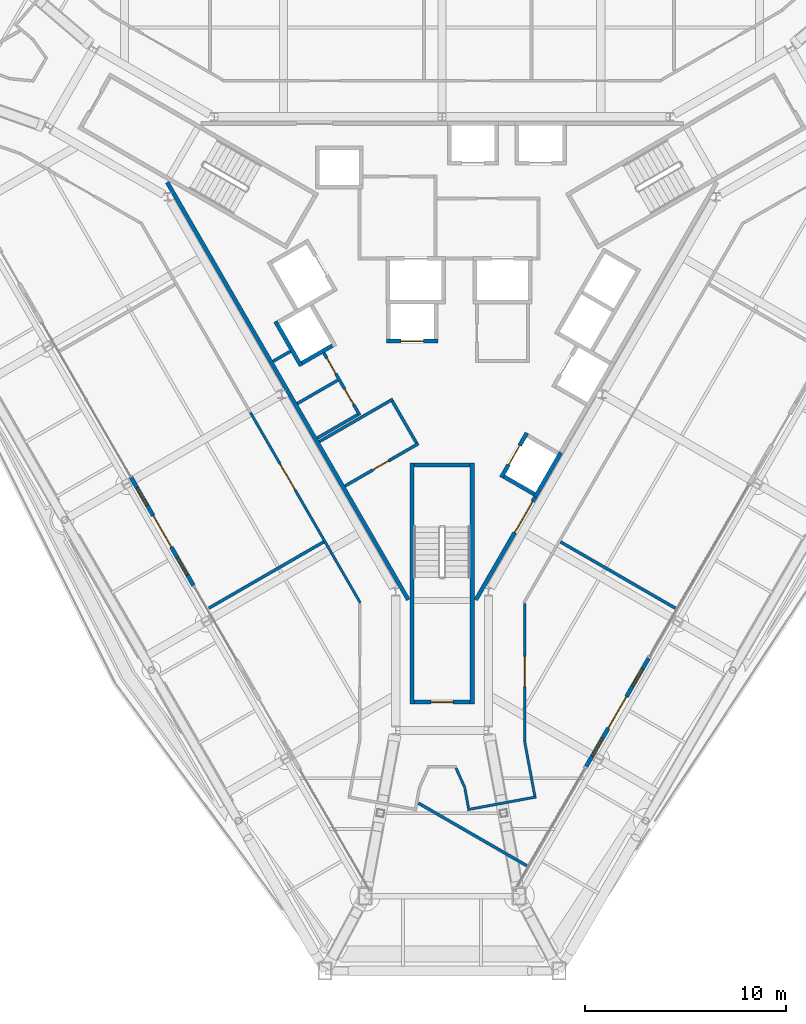
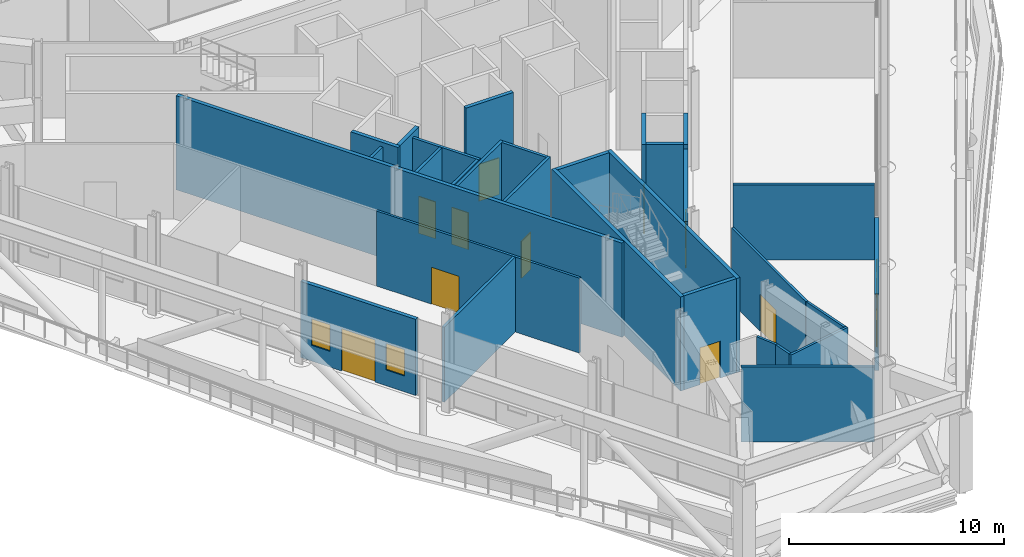
# One storey, part 16 of 26: 30 walls, 11 doors, 4 windows, 15 openings.
"""IFC4 building model written with IfcOpenShell, lengths in metres."""

from ifc_helpers import new_model, si_unit, direction, frame, frame_2d, origin, place, context, subcontext, project, spatial, rectangle, extrude, material, layer, layer_set, type_object, element, fill, save


model = new_model("IFC4")

# Units and contexts
model_context = context("Model", 3, precision=1e-05, world=origin(), true_north=direction((0.0, 1.0)))
body_context = subcontext(model_context, "Body", "Model", "MODEL_VIEW")
ifc_project = project(units=[si_unit("LENGTHUNIT", "METRE"), si_unit("AREAUNIT", "SQUARE_METRE"), si_unit("VOLUMEUNIT", "CUBIC_METRE"), si_unit("PLANEANGLEUNIT", "RADIAN"), si_unit("MASSUNIT", "GRAM", prefix="KILO")], contexts=[model_context])

# Site, building, storey
site_placement = place(None, origin())
site = spatial("IfcSite", under=ifc_project, at=site_placement, CompositionType="ELEMENT")
building_placement = place(site_placement, origin())
building = spatial("IfcBuilding", under=site, at=building_placement, Name="Verrane Prism Tower", CompositionType="ELEMENT")
storey_placement = place(building_placement, frame((0.0, 0.0, 87.199951171875)))
storey = spatial("IfcBuildingStorey", under=building, at=storey_placement, Name="L20", CompositionType="ELEMENT", Elevation=87.199951171875)

# Wall
ifc_material_1 = material(Name="Gypsum board partition", Category="other")
ifc_layer_1 = layer(ifc_material_1, 0.199951171875)
ifc_layer_set_1 = layer_set([ifc_layer_1], Name="CW-200 core boundary wall 2 h")
wall_type_1 = type_object("IfcWallType", Name="CW-200 core boundary wall 2 h", PredefinedType="PARTITIONING", material=ifc_layer_set_1)
wall_1_placement = place(storey_placement, frame((-13.66357421875, 5.946044921875, 0.0), z_axis=(0.0, 0.0, 1.0), x_axis=(0.499994327219, -0.866028678941, 0.0)))
element("IfcWall", 1, at=wall_1_placement, inside=storey, type_object=wall_type_1, Name="Core boundary wall CW3-001", PredefinedType="PARTITIONING", context=body_context, shape_type="SweptSolid", body=[
    extrude(rectangle(XDim=23.967529296875, YDim=0.199951171875, at=frame_2d((11.98388671875, 0.0))), origin(), (0.0, 0.0, 1.0), 5.35009765625),
])

# Wall, opening, door
wall_2_placement = place(storey_placement, frame((1.677490234375, -14.814697265625, 0.0), z_axis=(0.0, 0.0, 1.0), x_axis=(0.49999445743, 0.866028603765, 0.0)))
wall_2 = element("IfcWall", 2, at=wall_2_placement, inside=storey, type_object=wall_type_1, Name="Core boundary wall CW3-003", PredefinedType="PARTITIONING", context=body_context, shape_type="SweptSolid", body=[
    extrude(rectangle(XDim=5.90478515625, YDim=0.199951171875, at=frame_2d((2.952392578125, 0.0))), origin(), (0.0, 0.0, 1.0), 5.35009765625),
])
opening_1_placement = place(wall_2_placement, frame((3.85498046875, 0.0, 0.0)))
opening_1 = element("IfcOpeningElement", 3, at=opening_1_placement, cuts=wall_2, Name="Opening D20517", PredefinedType="OPENING", context=body_context, shape_type="SweptSolid", body=[
    extrude(rectangle(XDim=1.800048828125, YDim=2.10009765625, at=frame_2d((0.89990234375, 1.050048828125))), frame((0.0, 0.10986328125, 0.0), z_axis=(0.0, -1.0, 0.0), x_axis=(1.0, 0.0, 0.0)), (0.0, 0.0, 1.0), 0.219970703125),
])
ifc_material_2 = material(Name="Timber veneered door leaf", Category="wood")
door_type_1 = type_object("IfcDoorType", Name="DR-1800x2100 FD60 double leaf lift lobby", OperationType="NOTDEFINED", PredefinedType="DOOR", material=ifc_material_2)
door_1_placement = place(opening_1_placement, origin())
door_1 = element("IfcDoor", 4, at=door_1_placement, inside=storey, type_object=door_type_1, Name="Lift lobby door D20517", OperationType="DOUBLE_DOOR_SINGLE_SWING", OverallHeight=2.10009765625, OverallWidth=1.800048828125, PredefinedType="DOOR", context=body_context, shape_type="SweptSolid", body=[
    extrude(rectangle(XDim=1.800048828125, YDim=2.10009765625, at=frame_2d((0.89990234375, 1.050048828125))), frame((0.0, 0.02490234375, 0.0), z_axis=(0.0, -1.0, 0.0), x_axis=(1.0, 0.0, 0.0)), (0.0, 0.0, 1.0), 0.050048828125),
])
fill(opening_1, door_1)

ifc_material_3 = material(Name="Concrete C40/50", Category="concrete")
ifc_layer_2 = layer(ifc_material_3, 0.199951171875)
ifc_layer_set_2 = layer_set([ifc_layer_2], Name="CW-200 stair core wall concrete C40/50 3 h")
wall_type_2 = type_object("IfcWallType", Name="CW-200 stair core wall concrete C40/50 3 h", PredefinedType="PARTITIONING", material=ifc_layer_set_2)
wall_3_placement = place(storey_placement, frame((-1.39990234375, -19.89990234375, 0.0), z_axis=(0.0, 0.0, 1.0), x_axis=(1.0, 0.0, 0.0)))
wall_3 = element("IfcWall", 5, at=wall_3_placement, inside=storey, type_object=wall_type_2, Name="Stair 3 enclosure wall", PredefinedType="PARTITIONING", context=body_context, shape_type="SweptSolid", body=[
    extrude(rectangle(XDim=2.7998046875, YDim=0.199951171875, at=frame_2d((1.39990234375, 0.0))), origin(), (0.0, 0.0, 1.0), 5.35009765625),
])
opening_2_placement = place(wall_3_placement, frame((0.85009765625, 0.0, 0.0)))
opening_2 = element("IfcOpeningElement", 6, at=opening_2_placement, cuts=wall_3, Name="Opening D20502", PredefinedType="OPENING", context=body_context, shape_type="SweptSolid", body=[
    extrude(rectangle(XDim=1.10009765625, YDim=2.10009765625, at=frame_2d((0.550048828125, 1.050048828125))), frame((0.0, 0.10986328125, 0.0), z_axis=(0.0, -1.0, 0.0), x_axis=(1.0, 0.0, 0.0)), (0.0, 0.0, 1.0), 0.219970703125),
])
ifc_material_4 = material(Name="Timber veneered door leaf", Category="wood")
door_type_2 = type_object("IfcDoorType", Name="DR-1100x2100 FD90 single leaf stair", OperationType="NOTDEFINED", PredefinedType="DOOR", material=ifc_material_4)
door_2_placement = place(opening_2_placement, origin())
door_2 = element("IfcDoor", 7, at=door_2_placement, inside=storey, type_object=door_type_2, Name="Stair 3 door", OperationType="SINGLE_SWING_LEFT", OverallHeight=2.10009765625, OverallWidth=1.10009765625, PredefinedType="DOOR", context=body_context, shape_type="SweptSolid", body=[
    extrude(rectangle(XDim=1.10009765625, YDim=2.10009765625, at=frame_2d((0.550048828125, 1.050048828125))), frame((0.0, 0.02490234375, 0.0), z_axis=(0.0, -1.0, 0.0), x_axis=(1.0, 0.0, 0.0)), (0.0, 0.0, 1.0), 0.050048828125),
])
fill(opening_2, door_2)

# Walls
for number, where, z_axis, x_axis, name in (
    (8, (1.5, -8.0, 0.0), (0.0, 0.0, 1.0), (0.0, -1.0, 0.0), "Stair 3 enclosure wall"),
    (9, (-1.5, -8.0, 0.0), (0.0, 0.0, 1.0), (0.0, -1.0, 0.0), "Stair 3 enclosure wall"),
):
    element("IfcWall", number, at=place(storey_placement, frame(where, z_axis=z_axis, x_axis=x_axis)), inside=storey, type_object=wall_type_2, Name=name, PredefinedType="PARTITIONING", context=body_context, shape_type="SweptSolid", body=[
        extrude(rectangle(XDim=12.0, YDim=0.199951171875, at=frame_2d((6.0, 0.0))), origin(), (0.0, 0.0, 1.0), 5.35009765625),
    ])
wall_4_placement = place(storey_placement, frame((-1.39990234375, -8.10009765625, 0.0), z_axis=(0.0, 0.0, 1.0), x_axis=(1.0, 0.0, 0.0)))
element("IfcWall", 10, at=wall_4_placement, inside=storey, type_object=wall_type_2, Name="Stair 3 enclosure wall", PredefinedType="PARTITIONING", context=body_context, shape_type="SweptSolid", body=[
    extrude(rectangle(XDim=2.7998046875, YDim=0.199951171875, at=frame_2d((1.39990234375, 0.0))), origin(), (0.0, 0.0, 1.0), 5.35009765625),
])

# Wall, opening, door
ifc_material_5 = material(Name="Gypsum board shaft wall assembly", Category="other")
ifc_layer_3 = layer(ifc_material_5, 0.199951171875)
ifc_layer_set_3 = layer_set([ifc_layer_3], Name="HW-200 lift shaft wall 2 h")
wall_type_3 = type_object("IfcWallType", Name="HW-200 lift shaft wall 2 h", PredefinedType="PARTITIONING", material=ifc_layer_set_3)
wall_5_placement = place(storey_placement, frame((-2.7548828125, -1.949951171875, 0.0), z_axis=(0.0, 0.0, 1.0), x_axis=(1.0, 0.0, 0.0)))
wall_5 = element("IfcWall", 11, at=wall_5_placement, inside=storey, type_object=wall_type_3, Name="Lift shaft wall", PredefinedType="PARTITIONING", context=body_context, shape_type="SweptSolid", body=[
    extrude(rectangle(XDim=2.5498046875, YDim=0.199951171875, at=frame_2d((1.27490234375, 0.0))), origin(), (0.0, 0.0, 1.0), 5.60009765625),
])
opening_3_placement = place(wall_5_placement, frame((0.72509765625, 0.0, 0.0)))
opening_3 = element("IfcOpeningElement", 12, at=opening_3_placement, cuts=wall_5, Name="Opening D20504", PredefinedType="OPENING", context=body_context, shape_type="SweptSolid", body=[
    extrude(rectangle(XDim=1.10009765625, YDim=2.10009765625, at=frame_2d((0.550048828125, 1.050048828125))), frame((0.0, 0.10986328125, 0.0), z_axis=(0.0, -1.0, 0.0), x_axis=(1.0, 0.0, 0.0)), (0.0, 0.0, 1.0), 0.219970703125),
])
ifc_material_6 = material(Name="Stainless steel sliding landing door", Category="steel")
door_type_3 = type_object("IfcDoorType", Name="LD-1100x2100 lift landing door FD90 sliding", OperationType="NOTDEFINED", PredefinedType="DOOR", material=ifc_material_6)
door_3_placement = place(opening_3_placement, origin())
door_3 = element("IfcDoor", 13, at=door_3_placement, inside=storey, type_object=door_type_3, Name="Bank A lift 2 landing door", OperationType="SLIDING_TO_RIGHT", OverallHeight=2.10009765625, OverallWidth=1.10009765625, PredefinedType="DOOR", context=body_context, shape_type="SweptSolid", body=[
    extrude(rectangle(XDim=1.10009765625, YDim=2.10009765625, at=frame_2d((0.550048828125, 1.050048828125))), frame((0.0, 0.02490234375, 0.0), z_axis=(0.0, -1.0, 0.0), x_axis=(1.0, 0.0, 0.0)), (0.0, 0.0, 1.0), 0.050048828125),
])
fill(opening_3, door_3)

# Walls
wall_6_placement = place(storey_placement, frame((-6.9697265625, -3.048095703125, 0.0), z_axis=(0.0, 0.0, 1.0), x_axis=(0.866036909293, 0.499980071345, 0.0)))
element("IfcWall", 14, at=wall_6_placement, inside=storey, type_object=wall_type_3, Name="Lift shaft wall", PredefinedType="PARTITIONING", context=body_context, shape_type="SweptSolid", body=[
    extrude(rectangle(XDim=1.75, YDim=0.199951171875, at=frame_2d((0.875, 0.0))), origin(), (0.0, 0.0, 1.0), 5.60009765625),
])
wall_7_placement = place(storey_placement, frame((4.63037109375, -9.69970703125, 0.0), z_axis=(0.0, 0.0, 1.0), x_axis=(0.500062241894, 0.865989465428, 0.0)))
element("IfcWall", 15, at=wall_7_placement, inside=storey, type_object=wall_type_3, Name="Lift shaft wall", PredefinedType="PARTITIONING", context=body_context, shape_type="SweptSolid", body=[
    extrude(rectangle(XDim=2.550048828125, YDim=0.199951171875, at=frame_2d((1.27490234375, 0.0))), origin(), (0.0, 0.0, 1.0), 5.60009765625),
])

# Wall, opening, door
wall_8_placement = place(storey_placement, frame((2.941650390625, -8.724853515625, 0.0), z_axis=(0.0, 0.0, 1.0), x_axis=(0.500020783669, 0.866013403995, 0.0)))
wall_8 = element("IfcWall", 16, at=wall_8_placement, inside=storey, type_object=wall_type_3, Name="Lift shaft wall", PredefinedType="PARTITIONING", context=body_context, shape_type="SweptSolid", body=[
    extrude(rectangle(XDim=2.55029296875, YDim=0.199951171875, at=frame_2d((1.275146484375, 0.0))), origin(), (0.0, 0.0, 1.0), 5.60009765625),
])
opening_4_placement = place(wall_8_placement, frame((0.72509765625, 0.0, 0.0)))
opening_4 = element("IfcOpeningElement", 17, at=opening_4_placement, cuts=wall_8, Name="Opening D20506", PredefinedType="OPENING", context=body_context, shape_type="SweptSolid", body=[
    extrude(rectangle(XDim=1.10009765625, YDim=2.10009765625, at=frame_2d((0.550048828125, 1.050048828125))), frame((0.0, 0.10986328125, 0.0), z_axis=(0.0, -1.0, 0.0), x_axis=(1.0, 0.0, 0.0)), (0.0, 0.0, 1.0), 0.219970703125),
])
door_4_placement = place(opening_4_placement, origin())
door_4 = element("IfcDoor", 18, at=door_4_placement, inside=storey, type_object=door_type_3, Name="Bank A lift 4 landing door", OperationType="SLIDING_TO_RIGHT", OverallHeight=2.10009765625, OverallWidth=1.10009765625, PredefinedType="DOOR", context=body_context, shape_type="SweptSolid", body=[
    extrude(rectangle(XDim=1.10009765625, YDim=2.10009765625, at=frame_2d((0.550048828125, 1.050048828125))), frame((0.0, 0.02490234375, 0.0), z_axis=(0.0, -1.0, 0.0), x_axis=(1.0, 0.0, 0.0)), (0.0, 0.0, 1.0), 0.050048828125),
])
fill(opening_4, door_4)

# Walls
wall_9_placement = place(storey_placement, frame((-7.00634765625, -3.184814453125, 0.0), z_axis=(0.0, 0.0, 1.0), x_axis=(-0.499990435942, 0.866030925526, 0.0)))
element("IfcWall", 19, at=wall_9_placement, inside=storey, type_object=wall_type_3, Name="Lift shaft wall", PredefinedType="PARTITIONING", context=body_context, shape_type="SweptSolid", body=[
    extrude(rectangle(XDim=2.5498046875, YDim=0.199951171875, at=frame_2d((1.27490234375, 0.0))), origin(), (0.0, 0.0, 1.0), 5.60009765625),
])
wall_10_placement = place(storey_placement, frame((4.593994140625, -9.563232421875, 0.0), z_axis=(0.0, 0.0, 1.0), x_axis=(-0.866036909293, 0.499980071345, 0.0)))
element("IfcWall", 20, at=wall_10_placement, inside=storey, type_object=wall_type_3, Name="Lift shaft wall", PredefinedType="PARTITIONING", context=body_context, shape_type="SweptSolid", body=[
    extrude(rectangle(XDim=1.75, YDim=0.199951171875, at=frame_2d((0.875, 0.0))), origin(), (0.0, 0.0, 1.0), 5.60009765625),
])

# Wall, opening, door
ifc_material_7 = material(Name="Gypsum board partition", Category="other")
ifc_layer_4 = layer(ifc_material_7, 0.125)
ifc_layer_set_4 = layer_set([ifc_layer_4], Name="PW-125 corridor wall 1 h")
wall_type_4 = type_object("IfcWallType", Name="PW-125 corridor wall 1 h", PredefinedType="PARTITIONING", material=ifc_layer_set_4)
wall_11_placement = place(storey_placement, frame((-4.06884765625, -14.9560546875, 0.0), z_axis=(0.0, 0.0, 1.0), x_axis=(-0.500012742938, 0.866018046521, 0.0)))
wall_11 = element("IfcWall", 21, at=wall_11_placement, inside=storey, type_object=wall_type_4, Name="Corridor wall 019", PredefinedType="PARTITIONING", context=body_context, shape_type="SweptSolid", body=[
    extrude(rectangle(XDim=10.920166015625, YDim=0.125, at=frame_2d((5.4599609375, 0.0))), origin(), (0.0, 0.0, 1.0), 4.261962890625),
])
opening_5_placement = place(wall_11_placement, frame((6.47021484375, 0.0, 0.0)))
opening_5 = element("IfcOpeningElement", 22, at=opening_5_placement, cuts=wall_11, Name="Opening D20007", PredefinedType="OPENING", context=body_context, shape_type="SweptSolid", body=[
    extrude(rectangle(XDim=1.5, YDim=2.10009765625, at=frame_2d((0.75, 1.050048828125))), frame((0.0, 0.072509765625, 0.0), z_axis=(0.0, -1.0, 0.0), x_axis=(1.0, 0.0, 0.0)), (0.0, 0.0, 1.0), 0.14501953125),
])
ifc_material_8 = material(Name="Timber veneered door leaf", Category="wood")
door_type_4 = type_object("IfcDoorType", Name="DR-1500x2100 FD60 double leaf unit", OperationType="NOTDEFINED", PredefinedType="DOOR", material=ifc_material_8)
door_5_placement = place(opening_5_placement, origin())
door_5 = element("IfcDoor", 23, at=door_5_placement, inside=storey, type_object=door_type_4, Name="Refuge Area door", OperationType="DOUBLE_DOOR_SINGLE_SWING", OverallHeight=2.10009765625, OverallWidth=1.5, PredefinedType="DOOR", context=body_context, shape_type="SweptSolid", body=[
    extrude(rectangle(XDim=1.5, YDim=2.10009765625, at=frame_2d((0.75, 1.050048828125))), frame((0.0, 0.02490234375, 0.0), z_axis=(0.0, -1.0, 0.0), x_axis=(1.0, 0.0, 0.0)), (0.0, 0.0, 1.0), 0.050048828125),
])
fill(opening_5, door_5)

# Walls
wall_12_placement = place(storey_placement, frame((0.69091796875, -23.1728515625, 0.0), z_axis=(0.0, 0.0, 1.0), x_axis=(0.410747208264, -0.911749269757, 0.0)))
element("IfcWall", 24, at=wall_12_placement, inside=storey, type_object=wall_type_4, Name="Corridor wall 028", PredefinedType="PARTITIONING", context=body_context, shape_type="SweptSolid", body=[
    extrude(rectangle(XDim=1.114501953125, YDim=0.125, at=frame_2d((0.55712890625, 0.0))), origin(), (0.0, 0.0, 1.0), 4.261962890625),
])
wall_13_placement = place(storey_placement, frame((1.13671875, -24.205810546875, 0.0), z_axis=(0.0, 0.0, 1.0), x_axis=(0.182733726002, -0.983162440994, 0.0)))
element("IfcWall", 25, at=wall_13_placement, inside=storey, type_object=wall_type_4, Name="Corridor wall 029", PredefinedType="PARTITIONING", context=body_context, shape_type="SweptSolid", body=[
    extrude(rectangle(XDim=0.9765625, YDim=0.125, at=frame_2d((0.48828125, 0.0))), origin(), (0.0, 0.0, 1.0), 4.261962890625),
])
wall_14_placement = place(storey_placement, frame((1.265625, -25.241455078125, 0.0), z_axis=(0.0, 0.0, 1.0), x_axis=(0.983318803828, 0.181890434158, 0.0)))
element("IfcWall", 26, at=wall_14_placement, inside=storey, type_object=wall_type_4, Name="Corridor wall 030", PredefinedType="PARTITIONING", context=body_context, shape_type="SweptSolid", body=[
    extrude(rectangle(XDim=3.4736328125, YDim=0.125, at=frame_2d((1.73681640625, 0.0))), origin(), (0.0, 0.0, 1.0), 4.261962890625),
])

# Wall, opening, door
wall_15_placement = place(storey_placement, frame((4.10009765625, -14.987060546875, 0.0), z_axis=(0.0, 0.0, 1.0), x_axis=(0.0, -1.0, 0.0)))
wall_15 = element("IfcWall", 27, at=wall_15_placement, inside=storey, type_object=wall_type_4, Name="Corridor wall 031", PredefinedType="PARTITIONING", context=body_context, shape_type="SweptSolid", body=[
    extrude(rectangle(XDim=6.900390625, YDim=0.125, at=frame_2d((3.4501953125, 0.0))), origin(), (0.0, 0.0, 1.0), 4.261962890625),
])
opening_6_placement = place(wall_15_placement, frame((2.637939453125, 0.0, 0.0)))
opening_6 = element("IfcOpeningElement", 28, at=opening_6_placement, cuts=wall_15, Name="Opening D20009", PredefinedType="OPENING", context=body_context, shape_type="SweptSolid", body=[
    extrude(rectangle(XDim=1.5, YDim=2.10009765625, at=frame_2d((0.75, 1.050048828125))), frame((0.0, 0.072509765625, 0.0), z_axis=(0.0, -1.0, 0.0), x_axis=(1.0, 0.0, 0.0)), (0.0, 0.0, 1.0), 0.14501953125),
])
door_6_placement = place(opening_6_placement, origin())
door_6 = element("IfcDoor", 29, at=door_6_placement, inside=storey, type_object=door_type_4, Name="Refuge Area door", OperationType="DOUBLE_DOOR_SINGLE_SWING", OverallHeight=2.10009765625, OverallWidth=1.5, PredefinedType="DOOR", context=body_context, shape_type="SweptSolid", body=[
    extrude(rectangle(XDim=1.5, YDim=2.10009765625, at=frame_2d((0.75, 1.050048828125))), frame((0.0, 0.02490234375, 0.0), z_axis=(0.0, -1.0, 0.0), x_axis=(1.0, 0.0, 0.0)), (0.0, 0.0, 1.0), 0.050048828125),
])
fill(opening_6, door_6)

# Walls
wall_16_placement = place(storey_placement, frame((4.11376953125, -21.898681640625, 0.0), z_axis=(0.0, 0.0, 1.0), x_axis=(0.182832825261, -0.983144016921, 0.0)))
element("IfcWall", 30, at=wall_16_placement, inside=storey, type_object=wall_type_4, Name="Corridor wall 032", PredefinedType="PARTITIONING", context=body_context, shape_type="SweptSolid", body=[
    extrude(rectangle(XDim=2.7041015625, YDim=0.125, at=frame_2d((1.35205078125, 0.0))), origin(), (0.0, 0.0, 1.0), 4.261962890625),
])
ifc_material_9 = material(Name="Gypsum board partition", Category="other")
ifc_layer_5 = layer(ifc_material_9, 0.14990234375)
ifc_layer_set_5 = layer_set([ifc_layer_5], Name="PW-150 demising wall 1 h")
wall_type_5 = type_object("IfcWallType", Name="PW-150 demising wall 1 h", PredefinedType="PARTITIONING", material=ifc_layer_set_5)
wall_17_placement = place(storey_placement, frame((-11.594970703125, -15.22705078125, 0.0), z_axis=(0.0, 0.0, 1.0), x_axis=(0.866055429303, 0.49994799067, 0.0)))
element("IfcWall", 31, at=wall_17_placement, inside=storey, type_object=wall_type_5, Name="Demising wall 016", PredefinedType="PARTITIONING", context=body_context, shape_type="SweptSolid", body=[
    extrude(rectangle(XDim=6.590576171875, YDim=0.14990234375, at=frame_2d((3.29541015625, 0.0))), origin(), (0.0, 0.0, 1.0), 4.261962890625),
])
wall_18_placement = place(storey_placement, frame((-1.1796875, -24.91650390625, 0.0), z_axis=(0.0, 0.0, 1.0), x_axis=(0.866004486696, -0.50003622771, 0.0)))
element("IfcWall", 32, at=wall_18_placement, inside=storey, type_object=wall_type_5, Name="Demising wall 024", PredefinedType="PARTITIONING", context=body_context, shape_type="SweptSolid", body=[
    extrude(rectangle(XDim=6.21875, YDim=0.14990234375, at=frame_2d((3.109375, 0.0))), origin(), (0.0, 0.0, 1.0), 4.261962890625),
])
wall_19_placement = place(storey_placement, frame((5.88720703125, -11.932373046875, 0.0), z_axis=(0.0, 0.0, 1.0), x_axis=(0.866071468634, -0.499920204851, 0.0)))
element("IfcWall", 33, at=wall_19_placement, inside=storey, type_object=wall_type_5, Name="Demising wall 035", PredefinedType="PARTITIONING", context=body_context, shape_type="SweptSolid", body=[
    extrude(rectangle(XDim=6.59033203125, YDim=0.14990234375, at=frame_2d((3.295166015625, 0.0))), origin(), (0.0, 0.0, 1.0), 4.261962890625),
])
ifc_material_10 = material(Name="Gypsum board partition", Category="other")
ifc_layer_6 = layer(ifc_material_10, 0.14990234375)
ifc_layer_set_6 = layer_set([ifc_layer_6], Name="RS-150 riser enclosure wall 1 h")
wall_type_6 = type_object("IfcWallType", Name="RS-150 riser enclosure wall 1 h", PredefinedType="PARTITIONING", material=ifc_layer_set_6)
wall_20_placement = place(storey_placement, frame((-8.402099609375, -2.95751953125, 0.0), z_axis=(0.0, 0.0, 1.0), x_axis=(0.866025935826, 0.499999078476, 0.0)))
element("IfcWall", 34, at=wall_20_placement, inside=storey, type_object=wall_type_6, Name="Riser wall RS3-001", PredefinedType="PARTITIONING", context=body_context, shape_type="SweptSolid", body=[
    extrude(rectangle(XDim=0.9931640625, YDim=0.14990234375, at=frame_2d((0.49658203125, 0.0))), origin(), (0.0, 0.0, 1.0), 5.35009765625),
])
wall_21_placement = place(storey_placement, frame((-7.192138671875, -5.053466796875, 0.0), z_axis=(0.0, 0.0, 1.0), x_axis=(0.865851878631, 0.500300434011, 0.0)))
element("IfcWall", 35, at=wall_21_placement, inside=storey, type_object=wall_type_6, Name="Riser wall RS3-002", PredefinedType="PARTITIONING", context=body_context, shape_type="SweptSolid", body=[
    extrude(rectangle(XDim=2.3154296875, YDim=0.14990234375, at=frame_2d((1.15771484375, 0.0))), origin(), (0.0, 0.0, 1.0), 5.35009765625),
])
wall_22_placement = place(storey_placement, frame((-6.206298828125, -6.77001953125, 0.0), z_axis=(0.0, 0.0, 1.0), x_axis=(0.865998469481, 0.500046648681, 0.0)))
element("IfcWall", 36, at=wall_22_placement, inside=storey, type_object=wall_type_6, Name="Riser wall RS3-003", PredefinedType="PARTITIONING", context=body_context, shape_type="SweptSolid", body=[
    extrude(rectangle(XDim=2.324951171875, YDim=0.14990234375, at=frame_2d((1.16259765625, 0.0))), origin(), (0.0, 0.0, 1.0), 5.35009765625),
])
wall_23_placement = place(storey_placement, frame((-6.10009765625, -6.945556640625, 0.0), z_axis=(0.0, 0.0, 1.0), x_axis=(0.866038200431, 0.499977834903, 0.0)))
element("IfcWall", 37, at=wall_23_placement, inside=storey, type_object=wall_type_6, Name="Riser wall RS3-004", PredefinedType="PARTITIONING", context=body_context, shape_type="SweptSolid", body=[
    extrude(rectangle(XDim=4.220458984375, YDim=0.14990234375, at=frame_2d((2.1103515625, 0.0))), origin(), (0.0, 0.0, 1.0), 5.35009765625),
])

# Wall, openings, doors
wall_24_placement = place(storey_placement, frame((-4.090576171875, -5.635009765625, 0.0), z_axis=(0.0, 0.0, 1.0), x_axis=(-0.499948934428, 0.866054884499, 0.0)))
wall_24 = element("IfcWall", 38, at=wall_24_placement, inside=storey, type_object=wall_type_6, Name="Riser wall RS3-005", PredefinedType="PARTITIONING", context=body_context, shape_type="SweptSolid", body=[
    extrude(rectangle(XDim=3.576904296875, YDim=0.14990234375, at=frame_2d((1.78857421875, 0.0))), origin(), (0.0, 0.0, 1.0), 5.35009765625),
])
opening_7_placement = place(wall_24_placement, frame((2.377197265625, 0.0, 0.0)))
opening_7 = element("IfcOpeningElement", 39, at=opening_7_placement, cuts=wall_24, Name="Opening D20512", PredefinedType="OPENING", context=body_context, shape_type="SweptSolid", body=[
    extrude(rectangle(XDim=0.89990234375, YDim=2.10009765625, at=frame_2d((0.449951171875, 1.050048828125))), frame((0.0, 0.0849609375, 0.0), z_axis=(0.0, -1.0, 0.0), x_axis=(1.0, 0.0, 0.0)), (0.0, 0.0, 1.0), 0.169921875),
])
opening_8_placement = place(wall_24_placement, frame((0.605224609375, 0.0, 0.0)))
opening_8 = element("IfcOpeningElement", 40, at=opening_8_placement, cuts=wall_24, Name="Opening D20513", PredefinedType="OPENING", context=body_context, shape_type="SweptSolid", body=[
    extrude(rectangle(XDim=0.89990234375, YDim=2.10009765625, at=frame_2d((0.449951171875, 1.050048828125))), frame((0.0, 0.0849609375, 0.0), z_axis=(0.0, -1.0, 0.0), x_axis=(1.0, 0.0, 0.0)), (0.0, 0.0, 1.0), 0.169921875),
])
ifc_material_11 = material(Name="Timber veneered door leaf", Category="wood")
door_type_5 = type_object("IfcDoorType", Name="DR-900x2100 FD60 single leaf riser", OperationType="NOTDEFINED", PredefinedType="DOOR", material=ifc_material_11)
door_7_placement = place(opening_7_placement, origin())
door_7 = element("IfcDoor", 41, at=door_7_placement, inside=storey, type_object=door_type_5, Name="Riser door D20512", OperationType="SINGLE_SWING_RIGHT", OverallHeight=2.10009765625, OverallWidth=0.89990234375, PredefinedType="DOOR", context=body_context, shape_type="SweptSolid", body=[
    extrude(rectangle(XDim=0.89990234375, YDim=2.10009765625, at=frame_2d((0.449951171875, 1.050048828125))), frame((0.0, 0.02490234375, 0.0), z_axis=(0.0, -1.0, 0.0), x_axis=(1.0, 0.0, 0.0)), (0.0, 0.0, 1.0), 0.050048828125),
])
fill(opening_7, door_7)
door_8_placement = place(opening_8_placement, origin())
door_8 = element("IfcDoor", 42, at=door_8_placement, inside=storey, type_object=door_type_5, Name="Riser door D20513", OperationType="SINGLE_SWING_LEFT", OverallHeight=2.10009765625, OverallWidth=0.89990234375, PredefinedType="DOOR", context=body_context, shape_type="SweptSolid", body=[
    extrude(rectangle(XDim=0.89990234375, YDim=2.10009765625, at=frame_2d((0.449951171875, 1.050048828125))), frame((0.0, 0.02490234375, 0.0), z_axis=(0.0, -1.0, 0.0), x_axis=(1.0, 0.0, 0.0)), (0.0, 0.0, 1.0), 0.050048828125),
])
fill(opening_8, door_8)

# Wall, opening, door
wall_25_placement = place(storey_placement, frame((-4.824951171875, -9.153564453125, 0.0), z_axis=(0.0, 0.0, 1.0), x_axis=(0.866023738697, 0.500002884005, 0.0)))
wall_25 = element("IfcWall", 43, at=wall_25_placement, inside=storey, type_object=wall_type_6, Name="Riser wall RS3-006", PredefinedType="PARTITIONING", context=body_context, shape_type="SweptSolid", body=[
    extrude(rectangle(XDim=4.22021484375, YDim=0.14990234375, at=frame_2d((2.110107421875, 0.0))), origin(), (0.0, 0.0, 1.0), 5.35009765625),
])
opening_9_placement = place(wall_25_placement, frame((1.594970703125, 0.0, 0.0)))
opening_9 = element("IfcOpeningElement", 44, at=opening_9_placement, cuts=wall_25, Name="Opening D20514", PredefinedType="OPENING", context=body_context, shape_type="SweptSolid", body=[
    extrude(rectangle(XDim=0.89990234375, YDim=2.10009765625, at=frame_2d((0.449951171875, 1.050048828125))), frame((0.0, 0.0849609375, 0.0), z_axis=(0.0, -1.0, 0.0), x_axis=(1.0, 0.0, 0.0)), (0.0, 0.0, 1.0), 0.169921875),
])
ifc_material_12 = material(Name="Timber veneered door leaf", Category="wood")
door_type_6 = type_object("IfcDoorType", Name="DR-900x2100 FD20 single leaf store", OperationType="NOTDEFINED", PredefinedType="DOOR", material=ifc_material_12)
door_9_placement = place(opening_9_placement, origin())
door_9 = element("IfcDoor", 45, at=door_9_placement, inside=storey, type_object=door_type_6, Name="Room door D20514", OperationType="SINGLE_SWING_LEFT", OverallHeight=2.10009765625, OverallWidth=0.89990234375, PredefinedType="DOOR", context=body_context, shape_type="SweptSolid", body=[
    extrude(rectangle(XDim=0.89990234375, YDim=2.10009765625, at=frame_2d((0.449951171875, 1.050048828125))), frame((0.0, 0.02490234375, 0.0), z_axis=(0.0, -1.0, 0.0), x_axis=(1.0, 0.0, 0.0)), (0.0, 0.0, 1.0), 0.050048828125),
])
fill(opening_9, door_9)

# Wall
wall_26_placement = place(storey_placement, frame((-2.472412109375, -4.93798828125, 0.0), z_axis=(0.0, 0.0, 1.0), x_axis=(0.500045362686, -0.865999212041, 0.0)))
element("IfcWall", 46, at=wall_26_placement, inside=storey, type_object=wall_type_6, Name="Riser wall RS3-007", PredefinedType="PARTITIONING", context=body_context, shape_type="SweptSolid", body=[
    extrude(rectangle(XDim=2.399658203125, YDim=0.14990234375, at=frame_2d((1.19970703125, 0.0))), origin(), (0.0, 0.0, 1.0), 5.35009765625),
])

# Wall, openings, door, windows
ifc_material_13 = material(Name="Aluminium framed insulated glazing", Category="aluminium")
ifc_layer_7 = layer(ifc_material_13, 0.199951171875)
ifc_layer_set_7 = layer_set([ifc_layer_7], Name="Refuge screen wall 200")
wall_type_7 = type_object("IfcWallType", Name="Refuge screen wall 200", PredefinedType="SOLIDWALL", material=ifc_layer_set_7)
wall_27_placement = place(storey_placement, frame((-15.45947265625, -8.7255859375, 0.0), z_axis=(0.0, 0.0, 1.0), x_axis=(0.500009909098, -0.866019682689, 0.0)))
wall_27 = element("IfcWall", 47, at=wall_27_placement, inside=storey, type_object=wall_type_7, Name="Refuge screen wall south-west face L20", PredefinedType="SOLIDWALL", context=body_context, shape_type="SweptSolid", body=[
    extrude(rectangle(XDim=6.199951171875, YDim=0.199951171875, at=frame_2d((3.10009765625, 0.0))), origin(), (0.0, 0.0, 1.0), 4.322509765625),
])
opening_10_placement = place(wall_27_placement, frame((0.60009765625, 0.0, 0.89990234375)))
opening_10 = element("IfcOpeningElement", 48, at=opening_10_placement, cuts=wall_27, Name="Opening W20705", PredefinedType="OPENING", context=body_context, shape_type="SweptSolid", body=[
    extrude(rectangle(XDim=1.0, YDim=1.5, at=frame_2d((0.5, 0.75))), frame((0.0, 0.10986328125, 0.0), z_axis=(0.0, -1.0, 0.0), x_axis=(1.0, 0.0, 0.0)), (0.0, 0.0, 1.0), 0.219970703125),
])
opening_11_placement = place(wall_27_placement, frame((2.199951171875, 0.0, 0.0)))
opening_11 = element("IfcOpeningElement", 49, at=opening_11_placement, cuts=wall_27, Name="Opening D20704", PredefinedType="OPENING", context=body_context, shape_type="SweptSolid", body=[
    extrude(rectangle(XDim=1.800048828125, YDim=2.39990234375, at=frame_2d((0.89990234375, 1.199951171875))), frame((0.0, 0.10986328125, 0.0), z_axis=(0.0, -1.0, 0.0), x_axis=(1.0, 0.0, 0.0)), (0.0, 0.0, 1.0), 0.219970703125),
])
opening_12_placement = place(wall_27_placement, frame((4.60009765625, 0.0, 0.89990234375)))
opening_12 = element("IfcOpeningElement", 50, at=opening_12_placement, cuts=wall_27, Name="Opening W20706", PredefinedType="OPENING", context=body_context, shape_type="SweptSolid", body=[
    extrude(rectangle(XDim=1.0, YDim=1.5, at=frame_2d((0.5, 0.75))), frame((0.0, 0.10986328125, 0.0), z_axis=(0.0, -1.0, 0.0), x_axis=(1.0, 0.0, 0.0)), (0.0, 0.0, 1.0), 0.219970703125),
])
ifc_material_14 = material(Name="Aluminium framed glazing", Category="aluminium")
door_type_7 = type_object("IfcDoorType", Name="DR-1800x2400 double glazed garden door", OperationType="DOUBLE_DOOR_SINGLE_SWING", PredefinedType="DOOR", material=ifc_material_14)
door_10_placement = place(opening_11_placement, frame((1.800048828125, 0.0, 0.0), z_axis=(0.0, 0.0, 1.0), x_axis=(-1.0, 0.0, 0.0)))
door_10 = element("IfcDoor", 51, at=door_10_placement, inside=storey, type_object=door_type_7, Name="Refuge terrace door D20704", OperationType="DOUBLE_DOOR_SINGLE_SWING", OverallHeight=2.39990234375, OverallWidth=1.800048828125, PredefinedType="DOOR", context=body_context, shape_type="SweptSolid", body=[
    extrude(rectangle(XDim=1.800048828125, YDim=2.39990234375, at=frame_2d((0.89990234375, 1.199951171875))), frame((0.0, 0.02490234375, 0.0), z_axis=(0.0, -1.0, 0.0), x_axis=(1.0, 0.0, 0.0)), (0.0, 0.0, 1.0), 0.050048828125),
])
fill(opening_11, door_10)
ifc_material_15 = material(Name="Aluminium framed glazing", Category="aluminium")
window_type = type_object("IfcWindowType", Name="Vent window 1000x1500 top hung", PartitioningType="SINGLE_PANEL", PredefinedType="WINDOW", material=ifc_material_15)
window_1_placement = place(opening_10_placement, origin())
window_1 = element("IfcWindow", 52, at=window_1_placement, inside=storey, type_object=window_type, Name="Vent window W20705", OverallHeight=1.5, OverallWidth=1.0, PartitioningType="SINGLE_PANEL", PredefinedType="WINDOW", context=body_context, shape_type="SweptSolid", body=[
    extrude(rectangle(XDim=1.0, YDim=1.5, at=frame_2d((0.5, 0.75))), frame((0.0, 0.030029296875, 0.0), z_axis=(0.0, -1.0, 0.0), x_axis=(1.0, 0.0, 0.0)), (0.0, 0.0, 1.0), 0.06005859375),
])
fill(opening_10, window_1)
window_2_placement = place(opening_12_placement, origin())
window_2 = element("IfcWindow", 53, at=window_2_placement, inside=storey, type_object=window_type, Name="Vent window W20706", OverallHeight=1.5, OverallWidth=1.0, PartitioningType="SINGLE_PANEL", PredefinedType="WINDOW", context=body_context, shape_type="SweptSolid", body=[
    extrude(rectangle(XDim=1.0, YDim=1.5, at=frame_2d((0.5, 0.75))), frame((0.0, 0.030029296875, 0.0), z_axis=(0.0, -1.0, 0.0), x_axis=(1.0, 0.0, 0.0)), (0.0, 0.0, 1.0), 0.06005859375),
])
fill(opening_12, window_2)

wall_28_placement = place(storey_placement, frame((7.1650390625, -23.091796875, 0.0), z_axis=(0.0, 0.0, 1.0), x_axis=(0.500009909098, 0.866019682689, 0.0)))
wall_28 = element("IfcWall", 54, at=wall_28_placement, inside=storey, type_object=wall_type_7, Name="Refuge screen wall south-east face L20", PredefinedType="SOLIDWALL", context=body_context, shape_type="SweptSolid", body=[
    extrude(rectangle(XDim=6.199951171875, YDim=0.199951171875, at=frame_2d((3.10009765625, 0.0))), origin(), (0.0, 0.0, 1.0), 4.322509765625),
])
opening_13_placement = place(wall_28_placement, frame((0.60009765625, 0.0, 0.89990234375)))
opening_13 = element("IfcOpeningElement", 55, at=opening_13_placement, cuts=wall_28, Name="Opening W20709", PredefinedType="OPENING", context=body_context, shape_type="SweptSolid", body=[
    extrude(rectangle(XDim=1.0, YDim=1.5, at=frame_2d((0.5, 0.75))), frame((0.0, 0.10986328125, 0.0), z_axis=(0.0, -1.0, 0.0), x_axis=(1.0, 0.0, 0.0)), (0.0, 0.0, 1.0), 0.219970703125),
])
opening_14_placement = place(wall_28_placement, frame((2.199951171875, 0.0, 0.0)))
opening_14 = element("IfcOpeningElement", 56, at=opening_14_placement, cuts=wall_28, Name="Opening D20706", PredefinedType="OPENING", context=body_context, shape_type="SweptSolid", body=[
    extrude(rectangle(XDim=1.800048828125, YDim=2.39990234375, at=frame_2d((0.89990234375, 1.199951171875))), frame((0.0, 0.10986328125, 0.0), z_axis=(0.0, -1.0, 0.0), x_axis=(1.0, 0.0, 0.0)), (0.0, 0.0, 1.0), 0.219970703125),
])
opening_15_placement = place(wall_28_placement, frame((4.60009765625, 0.0, 0.89990234375)))
opening_15 = element("IfcOpeningElement", 57, at=opening_15_placement, cuts=wall_28, Name="Opening W20710", PredefinedType="OPENING", context=body_context, shape_type="SweptSolid", body=[
    extrude(rectangle(XDim=1.0, YDim=1.5, at=frame_2d((0.5, 0.75))), frame((0.0, 0.10986328125, 0.0), z_axis=(0.0, -1.0, 0.0), x_axis=(1.0, 0.0, 0.0)), (0.0, 0.0, 1.0), 0.219970703125),
])
door_11_placement = place(opening_14_placement, frame((1.800048828125, 0.0, 0.0), z_axis=(0.0, 0.0, 1.0), x_axis=(-1.0, 0.0, 0.0)))
door_11 = element("IfcDoor", 58, at=door_11_placement, inside=storey, type_object=door_type_7, Name="Refuge terrace door D20706", OperationType="DOUBLE_DOOR_SINGLE_SWING", OverallHeight=2.39990234375, OverallWidth=1.800048828125, PredefinedType="DOOR", context=body_context, shape_type="SweptSolid", body=[
    extrude(rectangle(XDim=1.800048828125, YDim=2.39990234375, at=frame_2d((0.89990234375, 1.199951171875))), frame((0.0, 0.02490234375, 0.0), z_axis=(0.0, -1.0, 0.0), x_axis=(1.0, 0.0, 0.0)), (0.0, 0.0, 1.0), 0.050048828125),
])
fill(opening_14, door_11)
window_3_placement = place(opening_13_placement, origin())
window_3 = element("IfcWindow", 59, at=window_3_placement, inside=storey, type_object=window_type, Name="Vent window W20709", OverallHeight=1.5, OverallWidth=1.0, PartitioningType="SINGLE_PANEL", PredefinedType="WINDOW", context=body_context, shape_type="SweptSolid", body=[
    extrude(rectangle(XDim=1.0, YDim=1.5, at=frame_2d((0.5, 0.75))), frame((0.0, 0.030029296875, 0.0), z_axis=(0.0, -1.0, 0.0), x_axis=(1.0, 0.0, 0.0)), (0.0, 0.0, 1.0), 0.06005859375),
])
fill(opening_13, window_3)
window_4_placement = place(opening_15_placement, origin())
window_4 = element("IfcWindow", 60, at=window_4_placement, inside=storey, type_object=window_type, Name="Vent window W20710", OverallHeight=1.5, OverallWidth=1.0, PartitioningType="SINGLE_PANEL", PredefinedType="WINDOW", context=body_context, shape_type="SweptSolid", body=[
    extrude(rectangle(XDim=1.0, YDim=1.5, at=frame_2d((0.5, 0.75))), frame((0.0, 0.030029296875, 0.0), z_axis=(0.0, -1.0, 0.0), x_axis=(1.0, 0.0, 0.0)), (0.0, 0.0, 1.0), 0.06005859375),
])
fill(opening_15, window_4)

save(model, "model.ifc")
